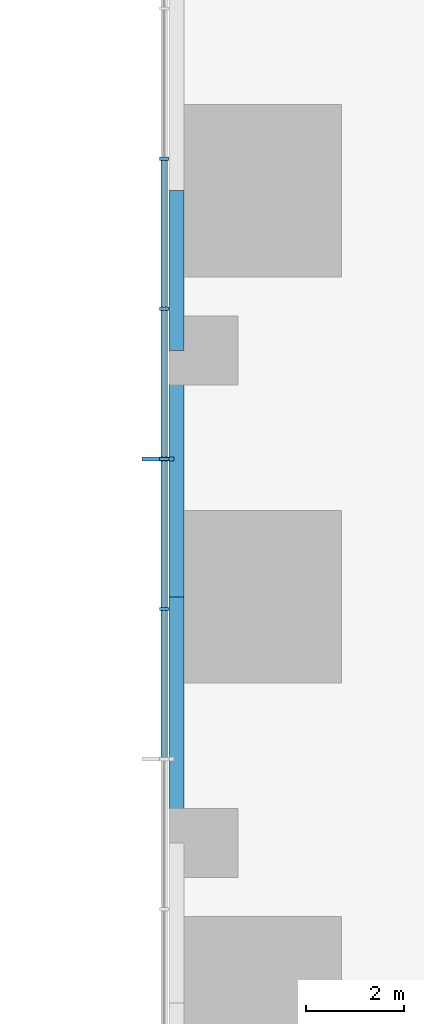
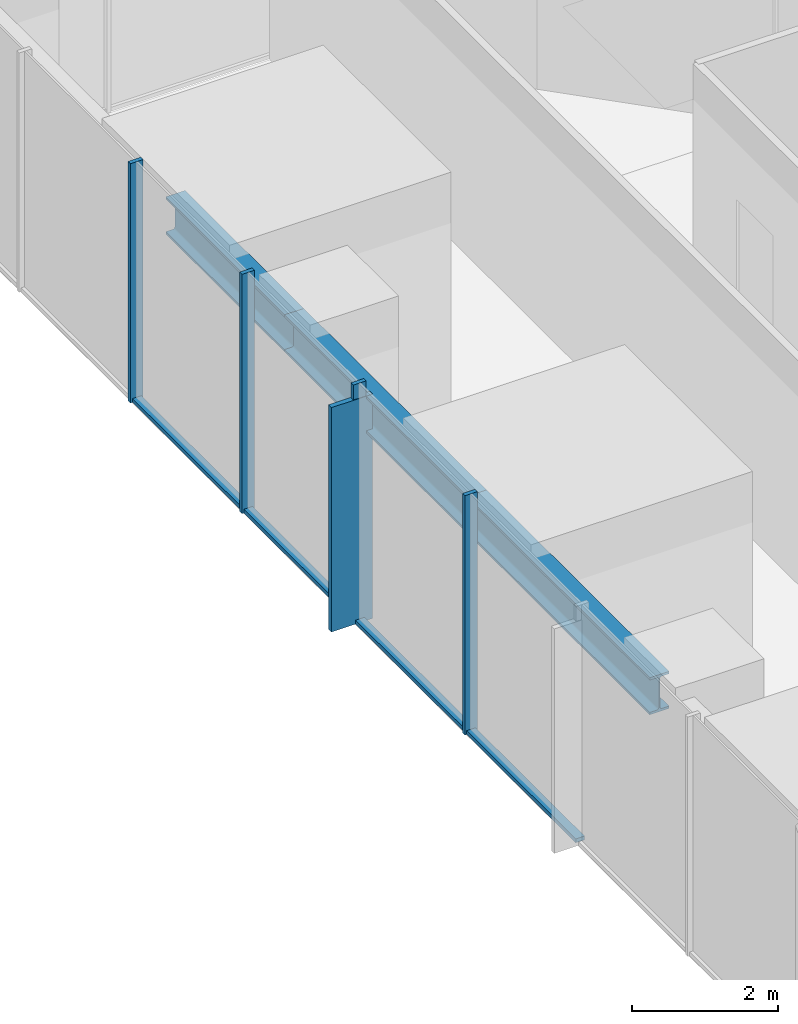
# One storey, part 3 of 18: 9 members, 3 beams, 1 element without a shape of its own.
"""IFC4 building model written with IfcOpenShell, lengths in metres."""

from ifc_helpers import new_model, si_unit, direction, frame, origin, origin_2d, place, context, subcontext, project, spatial, rectangle, i_section, extrude, material, material_profile, profile_set, type_object, element, aggregate, save


model = new_model("IFC4")

# Units and contexts
model_context = context("Model", 3, precision=1e-05, world=origin(), true_north=direction((0.0, 1.0)))
body_context = subcontext(model_context, "Body", "Model", "MODEL_VIEW")
ifc_project = project(units=[si_unit("LENGTHUNIT", "METRE"), si_unit("AREAUNIT", "SQUARE_METRE"), si_unit("VOLUMEUNIT", "CUBIC_METRE"), si_unit("PLANEANGLEUNIT", "RADIAN"), si_unit("MASSUNIT", "GRAM", prefix="KILO")], contexts=[model_context])

# Site, building, storey
site_placement = place(None, origin())
site = spatial("IfcSite", under=ifc_project, at=site_placement, CompositionType="ELEMENT")
building_placement = place(site_placement, origin())
building = spatial("IfcBuilding", under=site, at=building_placement, Name="Svetlomir Tower", CompositionType="ELEMENT")
storey_placement = place(building_placement, frame((0.0, 0.0, 46.5)))
storey = spatial("IfcBuildingStorey", under=building, at=storey_placement, Name="L10", CompositionType="ELEMENT", Elevation=46.5)

# Curtain wall, members
ifc_material_1 = material(Name="Bronze anodised aluminium curtain wall", Category="aluminium")
curtain_wall_type = type_object("IfcCurtainWallType", Name="CURTAIN WALL CW1 TOWER OFFICE", PredefinedType="NOTDEFINED", material=ifc_material_1)
curtain_wall_placement = place(storey_placement, origin())
curtain_wall = element("IfcCurtainWall", 1, at=curtain_wall_placement, inside=storey, type_object=curtain_wall_type, Name="Curtain wall CW1 L10", PredefinedType="NOTDEFINED")
ifc_material_2 = material(Name="Bronze anodised aluminium", Category="aluminium")
ifc_material_profile_1 = material_profile(ifc_material_2, rectangle(XDim=0.080078125, YDim=0.64990234375, at=origin_2d()), Name="FIN 80x650")
ifc_profile_set_1 = profile_set([ifc_material_profile_1], Name="Bronze anodised aluminium 6063-T6")
member_type_1 = type_object("IfcMemberType", Name="BRONZE FIN 80x650", PredefinedType="USERDEFINED", material=ifc_profile_set_1)
member_1_placement = place(storey_placement, frame((-0.22509765625, 23.800048828125, 0.0), z_axis=(0.0, 0.0, 1.0), x_axis=(0.0, 1.0, 0.0)))
member_1 = element("IfcMember", 2, at=member_1_placement, type_object=member_type_1, Name="Bronze fin L10", ObjectType="FIN", PredefinedType="USERDEFINED", context=body_context, shape_type="SweptSolid", body=[
    extrude(rectangle(XDim=0.080078125, YDim=0.64990234375, at=origin_2d()), origin(), (0.0, 0.0, 1.0), 3.75),
])
ifc_material_3 = material(Name="Bronze anodised aluminium", Category="aluminium")
ifc_material_profile_2 = material_profile(ifc_material_3, rectangle(XDim=0.06494140625, YDim=0.199951171875, at=origin_2d()), Name="AL 65x200")
ifc_profile_set_2 = profile_set([ifc_material_profile_2], Name="Bronze anodised aluminium 6063-T6")
member_type_2 = type_object("IfcMemberType", Name="CW1 MULLION 65x200", PredefinedType="MULLION", material=ifc_profile_set_2)
member_2_placement = place(storey_placement, frame((-0.10009765625, 29.89990234375, 0.0), z_axis=(0.0, 0.0, 1.0), x_axis=(0.0, -1.0, 0.0)))
member_2 = element("IfcMember", 3, at=member_2_placement, type_object=member_type_2, Name="CW1 mullion 3", PredefinedType="MULLION", context=body_context, shape_type="SweptSolid", body=[
    extrude(rectangle(XDim=0.06494140625, YDim=0.199951171875, at=origin_2d()), origin(), (0.0, 0.0, 1.0), 4.0),
])
member_3_placement = place(storey_placement, frame((-0.10009765625, 26.85009765625, 0.0), z_axis=(0.0, 0.0, 1.0), x_axis=(0.0, -1.0, 0.0)))
member_3 = element("IfcMember", 4, at=member_3_placement, type_object=member_type_2, Name="CW1 mullion 4", PredefinedType="MULLION", context=body_context, shape_type="SweptSolid", body=[
    extrude(rectangle(XDim=0.06494140625, YDim=0.199951171875, at=origin_2d()), origin(), (0.0, 0.0, 1.0), 4.0),
])
member_4_placement = place(storey_placement, frame((-0.10009765625, 23.800048828125, 0.0), z_axis=(0.0, 0.0, 1.0), x_axis=(0.0, -1.0, 0.0)))
member_4 = element("IfcMember", 5, at=member_4_placement, type_object=member_type_2, Name="CW1 mullion 5", PredefinedType="MULLION", context=body_context, shape_type="SweptSolid", body=[
    extrude(rectangle(XDim=0.06494140625, YDim=0.199951171875, at=origin_2d()), origin(), (0.0, 0.0, 1.0), 4.0),
])
member_5_placement = place(storey_placement, frame((-0.10009765625, 20.75, 0.0), z_axis=(0.0, 0.0, 1.0), x_axis=(0.0, -1.0, 0.0)))
member_5 = element("IfcMember", 6, at=member_5_placement, type_object=member_type_2, Name="CW1 mullion 6", PredefinedType="MULLION", context=body_context, shape_type="SweptSolid", body=[
    extrude(rectangle(XDim=0.06494140625, YDim=0.199951171875, at=origin_2d()), origin(), (0.0, 0.0, 1.0), 4.0),
])
ifc_material_4 = material(Name="Bronze anodised aluminium", Category="aluminium")
ifc_material_profile_3 = material_profile(ifc_material_4, rectangle(XDim=0.139892578125, YDim=0.06494140625, at=origin_2d()), Name="AL 140x65")
ifc_profile_set_3 = profile_set([ifc_material_profile_3], Name="Bronze anodised aluminium 6063-T6")
member_type_3 = type_object("IfcMemberType", Name="CW1 TRANSOM 65x140", PredefinedType="USERDEFINED", material=ifc_profile_set_3)
member_6_placement = place(storey_placement, frame((-0.10009765625, 29.867431640625, 0.032470703125), z_axis=(0.0, -1.0, 0.0), x_axis=(1.0, 0.0, 0.0)))
member_6 = element("IfcMember", 7, at=member_6_placement, type_object=member_type_3, Name="CW1 transom 3.1", ObjectType="TRANSOM", PredefinedType="USERDEFINED", context=body_context, shape_type="SweptSolid", body=[
    extrude(rectangle(XDim=0.139892578125, YDim=0.06494140625, at=origin_2d()), origin(), (0.0, 0.0, 1.0), 2.98486328125),
])
member_7_placement = place(storey_placement, frame((-0.10009765625, 26.8173828125, 0.032470703125), z_axis=(0.0, -1.0, 0.0), x_axis=(1.0, 0.0, 0.0)))
member_7 = element("IfcMember", 8, at=member_7_placement, type_object=member_type_3, Name="CW1 transom 4.1", ObjectType="TRANSOM", PredefinedType="USERDEFINED", context=body_context, shape_type="SweptSolid", body=[
    extrude(rectangle(XDim=0.139892578125, YDim=0.06494140625, at=origin_2d()), origin(), (0.0, 0.0, 1.0), 2.98486328125),
])
member_8_placement = place(storey_placement, frame((-0.10009765625, 23.767578125, 0.032470703125), z_axis=(0.0, -1.0, 0.0), x_axis=(1.0, 0.0, 0.0)))
member_8 = element("IfcMember", 9, at=member_8_placement, type_object=member_type_3, Name="CW1 transom 5.1", ObjectType="TRANSOM", PredefinedType="USERDEFINED", context=body_context, shape_type="SweptSolid", body=[
    extrude(rectangle(XDim=0.139892578125, YDim=0.06494140625, at=origin_2d()), origin(), (0.0, 0.0, 1.0), 2.985107421875),
])
member_9_placement = place(storey_placement, frame((-0.10009765625, 20.717529296875, 0.032470703125), z_axis=(0.0, -1.0, 0.0), x_axis=(1.0, 0.0, 0.0)))
member_9 = element("IfcMember", 10, at=member_9_placement, type_object=member_type_3, Name="CW1 transom 6.1", ObjectType="TRANSOM", PredefinedType="USERDEFINED", context=body_context, shape_type="SweptSolid", body=[
    extrude(rectangle(XDim=0.139892578125, YDim=0.06494140625, at=origin_2d()), origin(), (0.0, 0.0, 1.0), 2.985107421875),
])
aggregate(curtain_wall, [member_2, member_3, member_4, member_5, member_6, member_7, member_8, member_9, member_1])

# Beams
ifc_material_5 = material(Name="Steel S355", Category="steel")
ifc_material_profile_4 = material_profile(ifc_material_5, i_section(OverallWidth=0.304931640625, OverallDepth=0.6201171875, WebThickness=0.02099609375, FlangeThickness=0.0400390625, FilletRadius=0.027099609375, at=origin_2d()), Name="HEM 600")
ifc_profile_set_4 = profile_set([ifc_material_profile_4], Name="Steel S355")
beam_type = type_object("IfcBeamType", Name="EDGE BEAM HEM 600", PredefinedType="SPANDREL", material=ifc_profile_set_4)
for number, where, z_axis, x_axis, name in (
    (11, (0.152587890625, 16.0, 3.43994140625), (0.0, 1.0, 0.0), (-1.0, 0.0, 0.0), "Edge beam 0/16 to 0/21 under L11"),
    (12, (0.152587890625, 21.0, 3.43994140625), (0.0, 1.0, 0.0), (-1.0, 0.0, 0.0), "Edge beam 0/21 to 0/26 under L11"),
):
    element("IfcBeam", number, at=place(storey_placement, frame(where, z_axis=z_axis, x_axis=x_axis)), inside=storey, type_object=beam_type, Name=name, PredefinedType="SPANDREL", context=body_context, shape_type="SweptSolid", body=[
        extrude(i_section(OverallWidth=0.304931640625, OverallDepth=0.6201171875, WebThickness=0.02099609375, FlangeThickness=0.0400390625, FilletRadius=0.027099609375, at=origin_2d()), origin(), (0.0, 0.0, 1.0), 5.0),
    ])
beam_placement = place(storey_placement, frame((0.152587890625, 26.0, 3.43994140625), z_axis=(0.0, 1.0, 0.0), x_axis=(-1.0, 0.0, 0.0)))
element("IfcBeam", 13, at=beam_placement, inside=storey, type_object=beam_type, Name="Edge beam 0/26 to 0/31 under L11", PredefinedType="SPANDREL", context=body_context, shape_type="SweptSolid", body=[
    extrude(i_section(OverallWidth=0.304931640625, OverallDepth=0.6201171875, WebThickness=0.02099609375, FlangeThickness=0.0400390625, FilletRadius=0.027099609375, at=origin_2d()), origin(), (0.0, 0.0, 1.0), 3.25),
])

save(model, "model.ifc")
